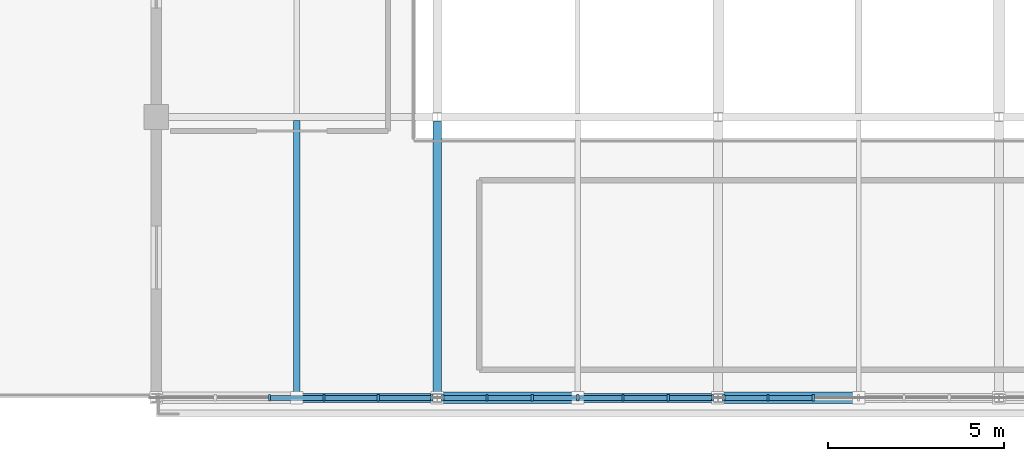
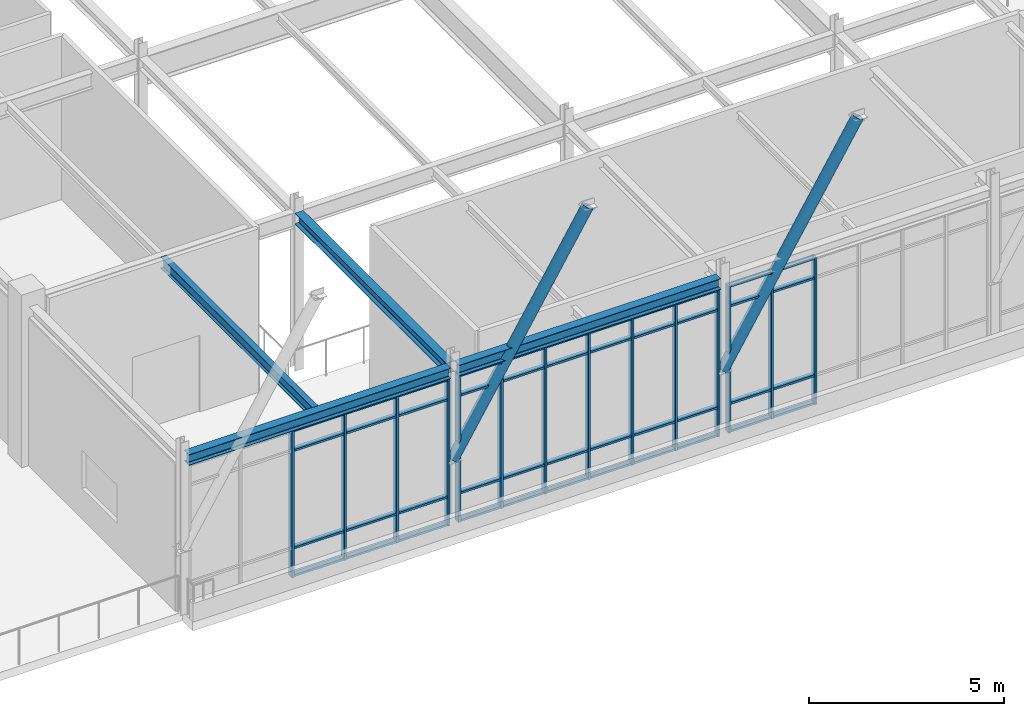
# One storey, part 48 of 108: 60 members, 4 beams, 3 elements without a shape of their own.
"""IFC4 building model written with IfcOpenShell, lengths in metres."""

from ifc_helpers import new_model, si_unit, direction, frame, origin, origin_2d, place, context, subcontext, project, spatial, rectangle, hollow_circle, i_section, extrude, material, material_profile, profile_set, type_object, element, aggregate, save


model = new_model("IFC4")

# Units and contexts
model_context = context("Model", 3, precision=1e-05, world=origin(), true_north=direction((0.0, 1.0)))
body_context = subcontext(model_context, "Body", "Model", "MODEL_VIEW")
ifc_project = project(units=[si_unit("LENGTHUNIT", "METRE"), si_unit("AREAUNIT", "SQUARE_METRE"), si_unit("VOLUMEUNIT", "CUBIC_METRE"), si_unit("PLANEANGLEUNIT", "RADIAN"), si_unit("MASSUNIT", "GRAM", prefix="KILO")], contexts=[model_context])

# Site, building, storey
site_placement = place(None, origin())
site = spatial("IfcSite", under=ifc_project, at=site_placement, CompositionType="ELEMENT")
building_placement = place(site_placement, origin())
building = spatial("IfcBuilding", under=site, at=building_placement, Name="Zhaolan Boulevard Law Courts", CompositionType="ELEMENT")
storey_placement = place(building_placement, frame((0.0, 0.0, 10.800048828125)))
storey = spatial("IfcBuildingStorey", under=building, at=storey_placement, Name="L02", CompositionType="ELEMENT", Elevation=10.800048828125)

# Curtain wall, members
ifc_material_1 = material(Name="Thermally broken aluminium and low-E glazing", Category="aluminium")
curtain_wall_type_1 = type_object("IfcCurtainWallType", Name="CURTAIN WALL M10", PredefinedType="USERDEFINED", material=ifc_material_1)
curtain_wall_1_placement = place(storey_placement, origin())
curtain_wall_1 = element("IfcCurtainWall", 1, at=curtain_wall_1_placement, inside=storey, type_object=curtain_wall_type_1, Name="Curtain Wall CW-L02-082", ObjectType="CURTAIN WALL", PredefinedType="USERDEFINED")
ifc_material_2 = material(Name="Fluorocarbon-coated aluminium 6063-T6", Category="aluminium")
ifc_material_profile_1 = material_profile(ifc_material_2, rectangle(XDim=0.179931640625, YDim=0.06494140625, at=origin_2d()), Name="AL65x180")
ifc_profile_set_1 = profile_set([ifc_material_profile_1], Name="Fluorocarbon-coated aluminium 6063-T6")
member_type_1 = type_object("IfcMemberType", Name="CWMULLION 65X180", PredefinedType="MULLION", material=ifc_profile_set_1)
member_1_placement = place(storey_placement, frame((127.225341796875, 6.0, 0.0), z_axis=(0.0, 0.0, 1.0), x_axis=(0.0, 1.0, 0.0)))
member_1 = element("IfcMember", 2, at=member_1_placement, type_object=member_type_1, Name="CW-L02-082 mullion 3", PredefinedType="MULLION", context=body_context, shape_type="SweptSolid", body=[
    extrude(rectangle(XDim=0.179931640625, YDim=0.06494140625, at=origin_2d()), origin(), (0.0, 0.0, 1.0), 4.60302734375),
])
member_2_placement = place(storey_placement, frame((128.774658203125, 6.0, 0.0), z_axis=(0.0, 0.0, 1.0), x_axis=(0.0, 1.0, 0.0)))
member_2 = element("IfcMember", 3, at=member_2_placement, type_object=member_type_1, Name="CW-L02-082 mullion 4", PredefinedType="MULLION", context=body_context, shape_type="SweptSolid", body=[
    extrude(rectangle(XDim=0.179931640625, YDim=0.06494140625, at=origin_2d()), origin(), (0.0, 0.0, 1.0), 4.60302734375),
])
member_3_placement = place(storey_placement, frame((130.32373046875, 6.0, 0.0), z_axis=(0.0, 0.0, 1.0), x_axis=(0.0, 1.0, 0.0)))
member_3 = element("IfcMember", 4, at=member_3_placement, type_object=member_type_1, Name="CW-L02-082 mullion 5", PredefinedType="MULLION", context=body_context, shape_type="SweptSolid", body=[
    extrude(rectangle(XDim=0.179931640625, YDim=0.06494140625, at=origin_2d()), origin(), (0.0, 0.0, 1.0), 4.60302734375),
])
member_4_placement = place(storey_placement, frame((131.840576171875, 6.0, 0.0), z_axis=(0.0, 0.0, 1.0), x_axis=(0.0, 1.0, 0.0)))
member_4 = element("IfcMember", 5, at=member_4_placement, type_object=member_type_1, Name="CW-L02-082 mullion 6", PredefinedType="MULLION", context=body_context, shape_type="SweptSolid", body=[
    extrude(rectangle(XDim=0.179931640625, YDim=0.06494140625, at=origin_2d()), origin(), (0.0, 0.0, 1.0), 4.60302734375),
])

ifc_material_3 = material(Name="Thermally broken aluminium and low-E glazing", Category="aluminium")
curtain_wall_type_2 = type_object("IfcCurtainWallType", Name="CURTAIN WALL M11", PredefinedType="USERDEFINED", material=ifc_material_3)
curtain_wall_2_placement = place(storey_placement, origin())
curtain_wall_2 = element("IfcCurtainWall", 6, at=curtain_wall_2_placement, inside=storey, type_object=curtain_wall_type_2, Name="Curtain Wall CW-L02-083", ObjectType="CURTAIN WALL", PredefinedType="USERDEFINED")
member_5_placement = place(storey_placement, frame((132.159423828125, 6.0, 0.0), z_axis=(0.0, 0.0, 1.0), x_axis=(0.0, 1.0, 0.0)))
member_5 = element("IfcMember", 7, at=member_5_placement, type_object=member_type_1, Name="CW-L02-083 mullion 1", PredefinedType="MULLION", context=body_context, shape_type="SweptSolid", body=[
    extrude(rectangle(XDim=0.179931640625, YDim=0.06494140625, at=origin_2d()), origin(), (0.0, 0.0, 1.0), 4.60302734375),
])
member_6_placement = place(storey_placement, frame((133.41796875, 6.0, 0.0), z_axis=(0.0, 0.0, 1.0), x_axis=(0.0, 1.0, 0.0)))
member_6 = element("IfcMember", 8, at=member_6_placement, type_object=member_type_1, Name="CW-L02-083 mullion 2", PredefinedType="MULLION", context=body_context, shape_type="SweptSolid", body=[
    extrude(rectangle(XDim=0.179931640625, YDim=0.06494140625, at=origin_2d()), origin(), (0.0, 0.0, 1.0), 4.60302734375),
])
member_7_placement = place(storey_placement, frame((134.708984375, 6.0, 0.0), z_axis=(0.0, 0.0, 1.0), x_axis=(0.0, 1.0, 0.0)))
member_7 = element("IfcMember", 9, at=member_7_placement, type_object=member_type_1, Name="CW-L02-083 mullion 3", PredefinedType="MULLION", context=body_context, shape_type="SweptSolid", body=[
    extrude(rectangle(XDim=0.179931640625, YDim=0.06494140625, at=origin_2d()), origin(), (0.0, 0.0, 1.0), 4.60302734375),
])
member_8_placement = place(storey_placement, frame((136.0, 6.0, 0.0), z_axis=(0.0, 0.0, 1.0), x_axis=(0.0, 1.0, 0.0)))
member_8 = element("IfcMember", 10, at=member_8_placement, type_object=member_type_1, Name="CW-L02-083 mullion 4", PredefinedType="MULLION", context=body_context, shape_type="SweptSolid", body=[
    extrude(rectangle(XDim=0.179931640625, YDim=0.06494140625, at=origin_2d()), origin(), (0.0, 0.0, 1.0), 4.60302734375),
])
member_9_placement = place(storey_placement, frame((137.291015625, 6.0, 0.0), z_axis=(0.0, 0.0, 1.0), x_axis=(0.0, 1.0, 0.0)))
member_9 = element("IfcMember", 11, at=member_9_placement, type_object=member_type_1, Name="CW-L02-083 mullion 5", PredefinedType="MULLION", context=body_context, shape_type="SweptSolid", body=[
    extrude(rectangle(XDim=0.179931640625, YDim=0.06494140625, at=origin_2d()), origin(), (0.0, 0.0, 1.0), 4.60302734375),
])
member_10_placement = place(storey_placement, frame((138.58203125, 6.0, 0.0), z_axis=(0.0, 0.0, 1.0), x_axis=(0.0, 1.0, 0.0)))
member_10 = element("IfcMember", 12, at=member_10_placement, type_object=member_type_1, Name="CW-L02-083 mullion 6", PredefinedType="MULLION", context=body_context, shape_type="SweptSolid", body=[
    extrude(rectangle(XDim=0.179931640625, YDim=0.06494140625, at=origin_2d()), origin(), (0.0, 0.0, 1.0), 4.60302734375),
])
member_11_placement = place(storey_placement, frame((139.840576171875, 6.0, 0.0), z_axis=(0.0, 0.0, 1.0), x_axis=(0.0, 1.0, 0.0)))
member_11 = element("IfcMember", 13, at=member_11_placement, type_object=member_type_1, Name="CW-L02-083 mullion 7", PredefinedType="MULLION", context=body_context, shape_type="SweptSolid", body=[
    extrude(rectangle(XDim=0.179931640625, YDim=0.06494140625, at=origin_2d()), origin(), (0.0, 0.0, 1.0), 4.60302734375),
])

ifc_material_4 = material(Name="Thermally broken aluminium and low-E glazing", Category="aluminium")
curtain_wall_type_3 = type_object("IfcCurtainWallType", Name="CURTAIN WALL M12", PredefinedType="USERDEFINED", material=ifc_material_4)
curtain_wall_3_placement = place(storey_placement, origin())
curtain_wall_3 = element("IfcCurtainWall", 14, at=curtain_wall_3_placement, inside=storey, type_object=curtain_wall_type_3, Name="Curtain Wall CW-L02-084", ObjectType="CURTAIN WALL", PredefinedType="USERDEFINED")
member_12_placement = place(storey_placement, frame((140.159423828125, 6.0, 0.0), z_axis=(0.0, 0.0, 1.0), x_axis=(0.0, 1.0, 0.0)))
member_12 = element("IfcMember", 15, at=member_12_placement, type_object=member_type_1, Name="CW-L02-084 mullion 1", PredefinedType="MULLION", context=body_context, shape_type="SweptSolid", body=[
    extrude(rectangle(XDim=0.179931640625, YDim=0.06494140625, at=origin_2d()), origin(), (0.0, 0.0, 1.0), 4.60302734375),
])
member_13_placement = place(storey_placement, frame((141.41796875, 6.0, 0.0), z_axis=(0.0, 0.0, 1.0), x_axis=(0.0, 1.0, 0.0)))
member_13 = element("IfcMember", 16, at=member_13_placement, type_object=member_type_1, Name="CW-L02-084 mullion 2", PredefinedType="MULLION", context=body_context, shape_type="SweptSolid", body=[
    extrude(rectangle(XDim=0.179931640625, YDim=0.06494140625, at=origin_2d()), origin(), (0.0, 0.0, 1.0), 4.60302734375),
])
member_14_placement = place(storey_placement, frame((142.708984375, 6.0, 0.0), z_axis=(0.0, 0.0, 1.0), x_axis=(0.0, 1.0, 0.0)))
member_14 = element("IfcMember", 17, at=member_14_placement, type_object=member_type_1, Name="CW-L02-084 mullion 3", PredefinedType="MULLION", context=body_context, shape_type="SweptSolid", body=[
    extrude(rectangle(XDim=0.179931640625, YDim=0.06494140625, at=origin_2d()), origin(), (0.0, 0.0, 1.0), 4.60302734375),
])

# Member
ifc_material_5 = material(Name="Fluorocarbon-coated aluminium 6063-T6", Category="aluminium")
ifc_material_profile_2 = material_profile(ifc_material_5, rectangle(XDim=0.139892578125, YDim=0.06494140625, at=origin_2d()), Name="AL65x140")
ifc_profile_set_2 = profile_set([ifc_material_profile_2], Name="Fluorocarbon-coated aluminium 6063-T6")
member_type_2 = type_object("IfcMemberType", Name="CWTRANSOM 65X140", PredefinedType="USERDEFINED", material=ifc_profile_set_2)
member_15_placement = place(storey_placement, frame((127.2578125, 6.0, 0.032470703125), z_axis=(1.0, 0.0, 0.0), x_axis=(0.0, 1.0, 0.0)))
member_15 = element("IfcMember", 18, at=member_15_placement, type_object=member_type_2, Name="CW-L02-082 transom 3.1", ObjectType="TRANSOM", PredefinedType="USERDEFINED", context=body_context, shape_type="SweptSolid", body=[
    extrude(rectangle(XDim=0.139892578125, YDim=0.06494140625, at=origin_2d()), origin(), (0.0, 0.0, 1.0), 1.484375),
])

member_16_placement = place(storey_placement, frame((127.2578125, 6.0, 0.89990234375), z_axis=(1.0, 0.0, 0.0), x_axis=(0.0, 1.0, 0.0)))
member_16 = element("IfcMember", 19, at=member_16_placement, type_object=member_type_2, Name="CW-L02-082 transom 3.2", ObjectType="TRANSOM", PredefinedType="USERDEFINED", context=body_context, shape_type="SweptSolid", body=[
    extrude(rectangle(XDim=0.139892578125, YDim=0.06494140625, at=origin_2d()), origin(), (0.0, 0.0, 1.0), 1.484375),
])

member_17_placement = place(storey_placement, frame((127.2578125, 6.0, 3.952880859375), z_axis=(1.0, 0.0, 0.0), x_axis=(0.0, 1.0, 0.0)))
member_17 = element("IfcMember", 20, at=member_17_placement, type_object=member_type_2, Name="CW-L02-082 transom 3.3", ObjectType="TRANSOM", PredefinedType="USERDEFINED", context=body_context, shape_type="SweptSolid", body=[
    extrude(rectangle(XDim=0.139892578125, YDim=0.06494140625, at=origin_2d()), origin(), (0.0, 0.0, 1.0), 1.484375),
])

member_18_placement = place(storey_placement, frame((127.2578125, 6.0, 4.570556640625), z_axis=(1.0, 0.0, 0.0), x_axis=(0.0, 1.0, 0.0)))
member_18 = element("IfcMember", 21, at=member_18_placement, type_object=member_type_2, Name="CW-L02-082 transom 3.4", ObjectType="TRANSOM", PredefinedType="USERDEFINED", context=body_context, shape_type="SweptSolid", body=[
    extrude(rectangle(XDim=0.139892578125, YDim=0.06494140625, at=origin_2d()), origin(), (0.0, 0.0, 1.0), 1.484375),
])

member_19_placement = place(storey_placement, frame((128.80712890625, 6.0, 0.032470703125), z_axis=(1.0, 0.0, 0.0), x_axis=(0.0, 1.0, 0.0)))
member_19 = element("IfcMember", 22, at=member_19_placement, type_object=member_type_2, Name="CW-L02-082 transom 4.1", ObjectType="TRANSOM", PredefinedType="USERDEFINED", context=body_context, shape_type="SweptSolid", body=[
    extrude(rectangle(XDim=0.139892578125, YDim=0.06494140625, at=origin_2d()), origin(), (0.0, 0.0, 1.0), 1.484130859375),
])

member_20_placement = place(storey_placement, frame((128.80712890625, 6.0, 0.89990234375), z_axis=(1.0, 0.0, 0.0), x_axis=(0.0, 1.0, 0.0)))
member_20 = element("IfcMember", 23, at=member_20_placement, type_object=member_type_2, Name="CW-L02-082 transom 4.2", ObjectType="TRANSOM", PredefinedType="USERDEFINED", context=body_context, shape_type="SweptSolid", body=[
    extrude(rectangle(XDim=0.139892578125, YDim=0.06494140625, at=origin_2d()), origin(), (0.0, 0.0, 1.0), 1.484130859375),
])

member_21_placement = place(storey_placement, frame((128.80712890625, 6.0, 3.952880859375), z_axis=(1.0, 0.0, 0.0), x_axis=(0.0, 1.0, 0.0)))
member_21 = element("IfcMember", 24, at=member_21_placement, type_object=member_type_2, Name="CW-L02-082 transom 4.3", ObjectType="TRANSOM", PredefinedType="USERDEFINED", context=body_context, shape_type="SweptSolid", body=[
    extrude(rectangle(XDim=0.139892578125, YDim=0.06494140625, at=origin_2d()), origin(), (0.0, 0.0, 1.0), 1.484130859375),
])

member_22_placement = place(storey_placement, frame((128.80712890625, 6.0, 4.570556640625), z_axis=(1.0, 0.0, 0.0), x_axis=(0.0, 1.0, 0.0)))
member_22 = element("IfcMember", 25, at=member_22_placement, type_object=member_type_2, Name="CW-L02-082 transom 4.4", ObjectType="TRANSOM", PredefinedType="USERDEFINED", context=body_context, shape_type="SweptSolid", body=[
    extrude(rectangle(XDim=0.139892578125, YDim=0.06494140625, at=origin_2d()), origin(), (0.0, 0.0, 1.0), 1.484130859375),
])

member_23_placement = place(storey_placement, frame((130.356201171875, 6.0, 0.032470703125), z_axis=(1.0, 0.0, 0.0), x_axis=(0.0, 1.0, 0.0)))
member_23 = element("IfcMember", 26, at=member_23_placement, type_object=member_type_2, Name="CW-L02-082 transom 5.1", ObjectType="TRANSOM", PredefinedType="USERDEFINED", context=body_context, shape_type="SweptSolid", body=[
    extrude(rectangle(XDim=0.139892578125, YDim=0.06494140625, at=origin_2d()), origin(), (0.0, 0.0, 1.0), 1.451904296875),
])

member_24_placement = place(storey_placement, frame((130.356201171875, 6.0, 0.89990234375), z_axis=(1.0, 0.0, 0.0), x_axis=(0.0, 1.0, 0.0)))
member_24 = element("IfcMember", 27, at=member_24_placement, type_object=member_type_2, Name="CW-L02-082 transom 5.2", ObjectType="TRANSOM", PredefinedType="USERDEFINED", context=body_context, shape_type="SweptSolid", body=[
    extrude(rectangle(XDim=0.139892578125, YDim=0.06494140625, at=origin_2d()), origin(), (0.0, 0.0, 1.0), 1.451904296875),
])

member_25_placement = place(storey_placement, frame((130.356201171875, 6.0, 3.952880859375), z_axis=(1.0, 0.0, 0.0), x_axis=(0.0, 1.0, 0.0)))
member_25 = element("IfcMember", 28, at=member_25_placement, type_object=member_type_2, Name="CW-L02-082 transom 5.3", ObjectType="TRANSOM", PredefinedType="USERDEFINED", context=body_context, shape_type="SweptSolid", body=[
    extrude(rectangle(XDim=0.139892578125, YDim=0.06494140625, at=origin_2d()), origin(), (0.0, 0.0, 1.0), 1.451904296875),
])

member_26_placement = place(storey_placement, frame((130.356201171875, 6.0, 4.570556640625), z_axis=(1.0, 0.0, 0.0), x_axis=(0.0, 1.0, 0.0)))
member_26 = element("IfcMember", 29, at=member_26_placement, type_object=member_type_2, Name="CW-L02-082 transom 5.4", ObjectType="TRANSOM", PredefinedType="USERDEFINED", context=body_context, shape_type="SweptSolid", body=[
    extrude(rectangle(XDim=0.139892578125, YDim=0.06494140625, at=origin_2d()), origin(), (0.0, 0.0, 1.0), 1.451904296875),
])

aggregate(curtain_wall_1, [member_1, member_2, member_3, member_4, member_15, member_16, member_17, member_18, member_19, member_20, member_21, member_22, member_23, member_24, member_25, member_26])

member_27_placement = place(storey_placement, frame((132.19189453125, 6.0, 0.032470703125), z_axis=(1.0, 0.0, 0.0), x_axis=(0.0, 1.0, 0.0)))
member_27 = element("IfcMember", 30, at=member_27_placement, type_object=member_type_2, Name="CW-L02-083 transom 1.1", ObjectType="TRANSOM", PredefinedType="USERDEFINED", context=body_context, shape_type="SweptSolid", body=[
    extrude(rectangle(XDim=0.139892578125, YDim=0.06494140625, at=origin_2d()), origin(), (0.0, 0.0, 1.0), 1.193603515625),
])

member_28_placement = place(storey_placement, frame((132.19189453125, 6.0, 0.89990234375), z_axis=(1.0, 0.0, 0.0), x_axis=(0.0, 1.0, 0.0)))
member_28 = element("IfcMember", 31, at=member_28_placement, type_object=member_type_2, Name="CW-L02-083 transom 1.2", ObjectType="TRANSOM", PredefinedType="USERDEFINED", context=body_context, shape_type="SweptSolid", body=[
    extrude(rectangle(XDim=0.139892578125, YDim=0.06494140625, at=origin_2d()), origin(), (0.0, 0.0, 1.0), 1.193603515625),
])

member_29_placement = place(storey_placement, frame((132.19189453125, 6.0, 3.952880859375), z_axis=(1.0, 0.0, 0.0), x_axis=(0.0, 1.0, 0.0)))
member_29 = element("IfcMember", 32, at=member_29_placement, type_object=member_type_2, Name="CW-L02-083 transom 1.3", ObjectType="TRANSOM", PredefinedType="USERDEFINED", context=body_context, shape_type="SweptSolid", body=[
    extrude(rectangle(XDim=0.139892578125, YDim=0.06494140625, at=origin_2d()), origin(), (0.0, 0.0, 1.0), 1.193603515625),
])

member_30_placement = place(storey_placement, frame((132.19189453125, 6.0, 4.570556640625), z_axis=(1.0, 0.0, 0.0), x_axis=(0.0, 1.0, 0.0)))
member_30 = element("IfcMember", 33, at=member_30_placement, type_object=member_type_2, Name="CW-L02-083 transom 1.4", ObjectType="TRANSOM", PredefinedType="USERDEFINED", context=body_context, shape_type="SweptSolid", body=[
    extrude(rectangle(XDim=0.139892578125, YDim=0.06494140625, at=origin_2d()), origin(), (0.0, 0.0, 1.0), 1.193603515625),
])

member_31_placement = place(storey_placement, frame((133.450439453125, 6.0, 0.032470703125), z_axis=(1.0, 0.0, 0.0), x_axis=(0.0, 1.0, 0.0)))
member_31 = element("IfcMember", 34, at=member_31_placement, type_object=member_type_2, Name="CW-L02-083 transom 2.1", ObjectType="TRANSOM", PredefinedType="USERDEFINED", context=body_context, shape_type="SweptSolid", body=[
    extrude(rectangle(XDim=0.139892578125, YDim=0.06494140625, at=origin_2d()), origin(), (0.0, 0.0, 1.0), 1.22607421875),
])

member_32_placement = place(storey_placement, frame((133.450439453125, 6.0, 0.89990234375), z_axis=(1.0, 0.0, 0.0), x_axis=(0.0, 1.0, 0.0)))
member_32 = element("IfcMember", 35, at=member_32_placement, type_object=member_type_2, Name="CW-L02-083 transom 2.2", ObjectType="TRANSOM", PredefinedType="USERDEFINED", context=body_context, shape_type="SweptSolid", body=[
    extrude(rectangle(XDim=0.139892578125, YDim=0.06494140625, at=origin_2d()), origin(), (0.0, 0.0, 1.0), 1.22607421875),
])

member_33_placement = place(storey_placement, frame((133.450439453125, 6.0, 3.952880859375), z_axis=(1.0, 0.0, 0.0), x_axis=(0.0, 1.0, 0.0)))
member_33 = element("IfcMember", 36, at=member_33_placement, type_object=member_type_2, Name="CW-L02-083 transom 2.3", ObjectType="TRANSOM", PredefinedType="USERDEFINED", context=body_context, shape_type="SweptSolid", body=[
    extrude(rectangle(XDim=0.139892578125, YDim=0.06494140625, at=origin_2d()), origin(), (0.0, 0.0, 1.0), 1.22607421875),
])

member_34_placement = place(storey_placement, frame((133.450439453125, 6.0, 4.570556640625), z_axis=(1.0, 0.0, 0.0), x_axis=(0.0, 1.0, 0.0)))
member_34 = element("IfcMember", 37, at=member_34_placement, type_object=member_type_2, Name="CW-L02-083 transom 2.4", ObjectType="TRANSOM", PredefinedType="USERDEFINED", context=body_context, shape_type="SweptSolid", body=[
    extrude(rectangle(XDim=0.139892578125, YDim=0.06494140625, at=origin_2d()), origin(), (0.0, 0.0, 1.0), 1.22607421875),
])

member_35_placement = place(storey_placement, frame((134.741455078125, 6.0, 0.032470703125), z_axis=(1.0, 0.0, 0.0), x_axis=(0.0, 1.0, 0.0)))
member_35 = element("IfcMember", 38, at=member_35_placement, type_object=member_type_2, Name="CW-L02-083 transom 3.1", ObjectType="TRANSOM", PredefinedType="USERDEFINED", context=body_context, shape_type="SweptSolid", body=[
    extrude(rectangle(XDim=0.139892578125, YDim=0.06494140625, at=origin_2d()), origin(), (0.0, 0.0, 1.0), 1.22607421875),
])

member_36_placement = place(storey_placement, frame((134.741455078125, 6.0, 0.89990234375), z_axis=(1.0, 0.0, 0.0), x_axis=(0.0, 1.0, 0.0)))
member_36 = element("IfcMember", 39, at=member_36_placement, type_object=member_type_2, Name="CW-L02-083 transom 3.2", ObjectType="TRANSOM", PredefinedType="USERDEFINED", context=body_context, shape_type="SweptSolid", body=[
    extrude(rectangle(XDim=0.139892578125, YDim=0.06494140625, at=origin_2d()), origin(), (0.0, 0.0, 1.0), 1.22607421875),
])

member_37_placement = place(storey_placement, frame((134.741455078125, 6.0, 3.952880859375), z_axis=(1.0, 0.0, 0.0), x_axis=(0.0, 1.0, 0.0)))
member_37 = element("IfcMember", 40, at=member_37_placement, type_object=member_type_2, Name="CW-L02-083 transom 3.3", ObjectType="TRANSOM", PredefinedType="USERDEFINED", context=body_context, shape_type="SweptSolid", body=[
    extrude(rectangle(XDim=0.139892578125, YDim=0.06494140625, at=origin_2d()), origin(), (0.0, 0.0, 1.0), 1.22607421875),
])

member_38_placement = place(storey_placement, frame((134.741455078125, 6.0, 4.570556640625), z_axis=(1.0, 0.0, 0.0), x_axis=(0.0, 1.0, 0.0)))
member_38 = element("IfcMember", 41, at=member_38_placement, type_object=member_type_2, Name="CW-L02-083 transom 3.4", ObjectType="TRANSOM", PredefinedType="USERDEFINED", context=body_context, shape_type="SweptSolid", body=[
    extrude(rectangle(XDim=0.139892578125, YDim=0.06494140625, at=origin_2d()), origin(), (0.0, 0.0, 1.0), 1.22607421875),
])

member_39_placement = place(storey_placement, frame((136.032470703125, 6.0, 0.032470703125), z_axis=(1.0, 0.0, 0.0), x_axis=(0.0, 1.0, 0.0)))
member_39 = element("IfcMember", 42, at=member_39_placement, type_object=member_type_2, Name="CW-L02-083 transom 4.1", ObjectType="TRANSOM", PredefinedType="USERDEFINED", context=body_context, shape_type="SweptSolid", body=[
    extrude(rectangle(XDim=0.139892578125, YDim=0.06494140625, at=origin_2d()), origin(), (0.0, 0.0, 1.0), 1.22607421875),
])

member_40_placement = place(storey_placement, frame((136.032470703125, 6.0, 0.89990234375), z_axis=(1.0, 0.0, 0.0), x_axis=(0.0, 1.0, 0.0)))
member_40 = element("IfcMember", 43, at=member_40_placement, type_object=member_type_2, Name="CW-L02-083 transom 4.2", ObjectType="TRANSOM", PredefinedType="USERDEFINED", context=body_context, shape_type="SweptSolid", body=[
    extrude(rectangle(XDim=0.139892578125, YDim=0.06494140625, at=origin_2d()), origin(), (0.0, 0.0, 1.0), 1.22607421875),
])

member_41_placement = place(storey_placement, frame((136.032470703125, 6.0, 3.952880859375), z_axis=(1.0, 0.0, 0.0), x_axis=(0.0, 1.0, 0.0)))
member_41 = element("IfcMember", 44, at=member_41_placement, type_object=member_type_2, Name="CW-L02-083 transom 4.3", ObjectType="TRANSOM", PredefinedType="USERDEFINED", context=body_context, shape_type="SweptSolid", body=[
    extrude(rectangle(XDim=0.139892578125, YDim=0.06494140625, at=origin_2d()), origin(), (0.0, 0.0, 1.0), 1.22607421875),
])

member_42_placement = place(storey_placement, frame((136.032470703125, 6.0, 4.570556640625), z_axis=(1.0, 0.0, 0.0), x_axis=(0.0, 1.0, 0.0)))
member_42 = element("IfcMember", 45, at=member_42_placement, type_object=member_type_2, Name="CW-L02-083 transom 4.4", ObjectType="TRANSOM", PredefinedType="USERDEFINED", context=body_context, shape_type="SweptSolid", body=[
    extrude(rectangle(XDim=0.139892578125, YDim=0.06494140625, at=origin_2d()), origin(), (0.0, 0.0, 1.0), 1.22607421875),
])

member_43_placement = place(storey_placement, frame((137.323486328125, 6.0, 0.032470703125), z_axis=(1.0, 0.0, 0.0), x_axis=(0.0, 1.0, 0.0)))
member_43 = element("IfcMember", 46, at=member_43_placement, type_object=member_type_2, Name="CW-L02-083 transom 5.1", ObjectType="TRANSOM", PredefinedType="USERDEFINED", context=body_context, shape_type="SweptSolid", body=[
    extrude(rectangle(XDim=0.139892578125, YDim=0.06494140625, at=origin_2d()), origin(), (0.0, 0.0, 1.0), 1.22607421875),
])

member_44_placement = place(storey_placement, frame((137.323486328125, 6.0, 0.89990234375), z_axis=(1.0, 0.0, 0.0), x_axis=(0.0, 1.0, 0.0)))
member_44 = element("IfcMember", 47, at=member_44_placement, type_object=member_type_2, Name="CW-L02-083 transom 5.2", ObjectType="TRANSOM", PredefinedType="USERDEFINED", context=body_context, shape_type="SweptSolid", body=[
    extrude(rectangle(XDim=0.139892578125, YDim=0.06494140625, at=origin_2d()), origin(), (0.0, 0.0, 1.0), 1.22607421875),
])

member_45_placement = place(storey_placement, frame((137.323486328125, 6.0, 3.952880859375), z_axis=(1.0, 0.0, 0.0), x_axis=(0.0, 1.0, 0.0)))
member_45 = element("IfcMember", 48, at=member_45_placement, type_object=member_type_2, Name="CW-L02-083 transom 5.3", ObjectType="TRANSOM", PredefinedType="USERDEFINED", context=body_context, shape_type="SweptSolid", body=[
    extrude(rectangle(XDim=0.139892578125, YDim=0.06494140625, at=origin_2d()), origin(), (0.0, 0.0, 1.0), 1.22607421875),
])

member_46_placement = place(storey_placement, frame((137.323486328125, 6.0, 4.570556640625), z_axis=(1.0, 0.0, 0.0), x_axis=(0.0, 1.0, 0.0)))
member_46 = element("IfcMember", 49, at=member_46_placement, type_object=member_type_2, Name="CW-L02-083 transom 5.4", ObjectType="TRANSOM", PredefinedType="USERDEFINED", context=body_context, shape_type="SweptSolid", body=[
    extrude(rectangle(XDim=0.139892578125, YDim=0.06494140625, at=origin_2d()), origin(), (0.0, 0.0, 1.0), 1.22607421875),
])

member_47_placement = place(storey_placement, frame((138.614501953125, 6.0, 0.032470703125), z_axis=(1.0, 0.0, 0.0), x_axis=(0.0, 1.0, 0.0)))
member_47 = element("IfcMember", 50, at=member_47_placement, type_object=member_type_2, Name="CW-L02-083 transom 6.1", ObjectType="TRANSOM", PredefinedType="USERDEFINED", context=body_context, shape_type="SweptSolid", body=[
    extrude(rectangle(XDim=0.139892578125, YDim=0.06494140625, at=origin_2d()), origin(), (0.0, 0.0, 1.0), 1.193603515625),
])

member_48_placement = place(storey_placement, frame((138.614501953125, 6.0, 0.89990234375), z_axis=(1.0, 0.0, 0.0), x_axis=(0.0, 1.0, 0.0)))
member_48 = element("IfcMember", 51, at=member_48_placement, type_object=member_type_2, Name="CW-L02-083 transom 6.2", ObjectType="TRANSOM", PredefinedType="USERDEFINED", context=body_context, shape_type="SweptSolid", body=[
    extrude(rectangle(XDim=0.139892578125, YDim=0.06494140625, at=origin_2d()), origin(), (0.0, 0.0, 1.0), 1.193603515625),
])

member_49_placement = place(storey_placement, frame((138.614501953125, 6.0, 3.952880859375), z_axis=(1.0, 0.0, 0.0), x_axis=(0.0, 1.0, 0.0)))
member_49 = element("IfcMember", 52, at=member_49_placement, type_object=member_type_2, Name="CW-L02-083 transom 6.3", ObjectType="TRANSOM", PredefinedType="USERDEFINED", context=body_context, shape_type="SweptSolid", body=[
    extrude(rectangle(XDim=0.139892578125, YDim=0.06494140625, at=origin_2d()), origin(), (0.0, 0.0, 1.0), 1.193603515625),
])

member_50_placement = place(storey_placement, frame((138.614501953125, 6.0, 4.570556640625), z_axis=(1.0, 0.0, 0.0), x_axis=(0.0, 1.0, 0.0)))
member_50 = element("IfcMember", 53, at=member_50_placement, type_object=member_type_2, Name="CW-L02-083 transom 6.4", ObjectType="TRANSOM", PredefinedType="USERDEFINED", context=body_context, shape_type="SweptSolid", body=[
    extrude(rectangle(XDim=0.139892578125, YDim=0.06494140625, at=origin_2d()), origin(), (0.0, 0.0, 1.0), 1.193603515625),
])

aggregate(curtain_wall_2, [member_5, member_6, member_7, member_8, member_9, member_10, member_11, member_27, member_28, member_29, member_30, member_31, member_32, member_33, member_34, member_35, member_36, member_37, member_38, member_39, member_40, member_41, member_42, member_43, member_44, member_45, member_46, member_47, member_48, member_49, member_50])

member_51_placement = place(storey_placement, frame((140.19189453125, 6.0, 0.032470703125), z_axis=(1.0, 0.0, 0.0), x_axis=(0.0, 1.0, 0.0)))
member_51 = element("IfcMember", 54, at=member_51_placement, type_object=member_type_2, Name="CW-L02-084 transom 1.1", ObjectType="TRANSOM", PredefinedType="USERDEFINED", context=body_context, shape_type="SweptSolid", body=[
    extrude(rectangle(XDim=0.139892578125, YDim=0.06494140625, at=origin_2d()), origin(), (0.0, 0.0, 1.0), 1.193603515625),
])

member_52_placement = place(storey_placement, frame((140.19189453125, 6.0, 0.89990234375), z_axis=(1.0, 0.0, 0.0), x_axis=(0.0, 1.0, 0.0)))
member_52 = element("IfcMember", 55, at=member_52_placement, type_object=member_type_2, Name="CW-L02-084 transom 1.2", ObjectType="TRANSOM", PredefinedType="USERDEFINED", context=body_context, shape_type="SweptSolid", body=[
    extrude(rectangle(XDim=0.139892578125, YDim=0.06494140625, at=origin_2d()), origin(), (0.0, 0.0, 1.0), 1.193603515625),
])

member_53_placement = place(storey_placement, frame((140.19189453125, 6.0, 3.952880859375), z_axis=(1.0, 0.0, 0.0), x_axis=(0.0, 1.0, 0.0)))
member_53 = element("IfcMember", 56, at=member_53_placement, type_object=member_type_2, Name="CW-L02-084 transom 1.3", ObjectType="TRANSOM", PredefinedType="USERDEFINED", context=body_context, shape_type="SweptSolid", body=[
    extrude(rectangle(XDim=0.139892578125, YDim=0.06494140625, at=origin_2d()), origin(), (0.0, 0.0, 1.0), 1.193603515625),
])

member_54_placement = place(storey_placement, frame((140.19189453125, 6.0, 4.570556640625), z_axis=(1.0, 0.0, 0.0), x_axis=(0.0, 1.0, 0.0)))
member_54 = element("IfcMember", 57, at=member_54_placement, type_object=member_type_2, Name="CW-L02-084 transom 1.4", ObjectType="TRANSOM", PredefinedType="USERDEFINED", context=body_context, shape_type="SweptSolid", body=[
    extrude(rectangle(XDim=0.139892578125, YDim=0.06494140625, at=origin_2d()), origin(), (0.0, 0.0, 1.0), 1.193603515625),
])

member_55_placement = place(storey_placement, frame((141.450439453125, 6.0, 0.032470703125), z_axis=(1.0, 0.0, 0.0), x_axis=(0.0, 1.0, 0.0)))
member_55 = element("IfcMember", 58, at=member_55_placement, type_object=member_type_2, Name="CW-L02-084 transom 2.1", ObjectType="TRANSOM", PredefinedType="USERDEFINED", context=body_context, shape_type="SweptSolid", body=[
    extrude(rectangle(XDim=0.139892578125, YDim=0.06494140625, at=origin_2d()), origin(), (0.0, 0.0, 1.0), 1.22607421875),
])

member_56_placement = place(storey_placement, frame((141.450439453125, 6.0, 0.89990234375), z_axis=(1.0, 0.0, 0.0), x_axis=(0.0, 1.0, 0.0)))
member_56 = element("IfcMember", 59, at=member_56_placement, type_object=member_type_2, Name="CW-L02-084 transom 2.2", ObjectType="TRANSOM", PredefinedType="USERDEFINED", context=body_context, shape_type="SweptSolid", body=[
    extrude(rectangle(XDim=0.139892578125, YDim=0.06494140625, at=origin_2d()), origin(), (0.0, 0.0, 1.0), 1.22607421875),
])

member_57_placement = place(storey_placement, frame((141.450439453125, 6.0, 3.952880859375), z_axis=(1.0, 0.0, 0.0), x_axis=(0.0, 1.0, 0.0)))
member_57 = element("IfcMember", 60, at=member_57_placement, type_object=member_type_2, Name="CW-L02-084 transom 2.3", ObjectType="TRANSOM", PredefinedType="USERDEFINED", context=body_context, shape_type="SweptSolid", body=[
    extrude(rectangle(XDim=0.139892578125, YDim=0.06494140625, at=origin_2d()), origin(), (0.0, 0.0, 1.0), 1.22607421875),
])

member_58_placement = place(storey_placement, frame((141.450439453125, 6.0, 4.570556640625), z_axis=(1.0, 0.0, 0.0), x_axis=(0.0, 1.0, 0.0)))
member_58 = element("IfcMember", 61, at=member_58_placement, type_object=member_type_2, Name="CW-L02-084 transom 2.4", ObjectType="TRANSOM", PredefinedType="USERDEFINED", context=body_context, shape_type="SweptSolid", body=[
    extrude(rectangle(XDim=0.139892578125, YDim=0.06494140625, at=origin_2d()), origin(), (0.0, 0.0, 1.0), 1.22607421875),
])

aggregate(curtain_wall_3, [member_12, member_13, member_14, member_51, member_52, member_53, member_54, member_55, member_56, member_57, member_58])

# Beams
ifc_material_6 = material(Name="Structural steel Q355B", Category="steel")
ifc_material_profile_3 = material_profile(ifc_material_6, i_section(OverallWidth=0.25, OverallDepth=0.340087890625, WebThickness=0.009033203125, FlangeThickness=0.013916015625, FilletRadius=0.01611328125, at=origin_2d()), Name="HM340x250")
ifc_profile_set_3 = profile_set([ifc_material_profile_3], Name="Structural steel Q355B")
beam_type_1 = type_object("IfcBeamType", Name="GIRDER HM340", PredefinedType="BEAM", material=ifc_profile_set_3)
beam_1_placement = place(storey_placement, frame((132.0, 6.12109375, 4.787841796875), z_axis=(0.0, 1.0, 0.0), x_axis=(-1.0, 0.0, 0.0)))
element("IfcBeam", 62, at=beam_1_placement, inside=storey, type_object=beam_type_1, Name="Beam BY-L03-17-B-C", PredefinedType="BEAM", context=body_context, shape_type="SweptSolid", body=[
    extrude(i_section(OverallWidth=0.25, OverallDepth=0.340087890625, WebThickness=0.009033203125, FlangeThickness=0.013916015625, FilletRadius=0.01611328125, at=origin_2d()), origin(), (0.0, 0.0, 1.0), 7.7578125),
])
ifc_material_7 = material(Name="Structural steel Q355B", Category="steel")
ifc_material_profile_4 = material_profile(ifc_material_7, i_section(OverallWidth=0.175048828125, OverallDepth=0.35009765625, WebThickness=0.007080078125, FlangeThickness=0.010986328125, FilletRadius=0.012939453125, at=origin_2d()), Name="HN350x175")
ifc_profile_set_4 = profile_set([ifc_material_profile_4], Name="Structural steel Q355B")
beam_type_2 = type_object("IfcBeamType", Name="JOIST HN350", PredefinedType="JOIST", material=ifc_profile_set_4)
beam_2_placement = place(storey_placement, frame((128.0, 6.12109375, 4.782958984375), z_axis=(0.0, 1.0, 0.0), x_axis=(-1.0, 0.0, 0.0)))
element("IfcBeam", 63, at=beam_2_placement, inside=storey, type_object=beam_type_2, Name="Composite Joist J-L03-16B", PredefinedType="JOIST", context=body_context, shape_type="SweptSolid", body=[
    extrude(i_section(OverallWidth=0.175048828125, OverallDepth=0.35009765625, WebThickness=0.007080078125, FlangeThickness=0.010986328125, FilletRadius=0.012939453125, at=origin_2d()), origin(), (0.0, 0.0, 1.0), 7.782958984375),
])

# Members
ifc_material_8 = material(Name="Structural steel Q390B", Category="steel")
ifc_material_profile_5 = material_profile(ifc_material_8, hollow_circle(Radius=0.16259765625, WallThickness=0.011962890625, at=origin_2d()), Name="CHS325x12")
ifc_profile_set_5 = profile_set([ifc_material_profile_5], Name="Structural steel Q390B")
member_type_3 = type_object("IfcMemberType", Name="RAFTER CHS325", PredefinedType="RAFTER", material=ifc_profile_set_5)
for number, where, z_axis, x_axis, name in (
    (64, (132.0, 6.0, 2.0), (0.52292874166, 0.0, 0.852376402269), (0.0, 1.0, 0.0), "Folded-Plate Eave Strut FPS-2"),
    (65, (140.0, 6.0, 2.0), (0.52292874166, 0.0, 0.852376402269), (0.0, 1.0, 0.0), "Folded-Plate Eave Strut FPS-3"),
):
    element("IfcMember", number, at=place(storey_placement, frame(where, z_axis=z_axis, x_axis=x_axis)), inside=storey, type_object=member_type_3, Name=name, PredefinedType="RAFTER", context=body_context, shape_type="SweptSolid", body=[
        extrude(hollow_circle(Radius=0.16259765625, WallThickness=0.011962890625, at=origin_2d()), origin(), (0.0, 0.0, 1.0), 7.649169921875),
    ])

# Beams
ifc_material_9 = material(Name="Structural steel Q355B", Category="steel")
ifc_material_profile_6 = material_profile(ifc_material_9, i_section(OverallWidth=0.25, OverallDepth=0.340087890625, WebThickness=0.009033203125, FlangeThickness=0.013916015625, FilletRadius=0.01611328125, at=origin_2d()), Name="HM340x250")
ifc_profile_set_6 = profile_set([ifc_material_profile_6], Name="Structural steel Q355B")
beam_type_3 = type_object("IfcBeamType", Name="SPANDREL HM340", PredefinedType="SPANDREL", material=ifc_profile_set_6)
for number, where, z_axis, x_axis, name in (
    (66, (124.12109375, 6.0, 4.787841796875), (1.0, 0.0, 0.0), (0.0, 1.0, 0.0), "Beam BX-L03-16-17-B"),
    (67, (132.12109375, 6.0, 4.787841796875), (1.0, 0.0, 0.0), (0.0, 1.0, 0.0), "Beam BX-L03-17-18-B"),
):
    element("IfcBeam", number, at=place(storey_placement, frame(where, z_axis=z_axis, x_axis=x_axis)), inside=storey, type_object=beam_type_3, Name=name, PredefinedType="SPANDREL", context=body_context, shape_type="SweptSolid", body=[
        extrude(i_section(OverallWidth=0.25, OverallDepth=0.340087890625, WebThickness=0.009033203125, FlangeThickness=0.013916015625, FilletRadius=0.01611328125, at=origin_2d()), origin(), (0.0, 0.0, 1.0), 7.7578125),
    ])

save(model, "model.ifc")
